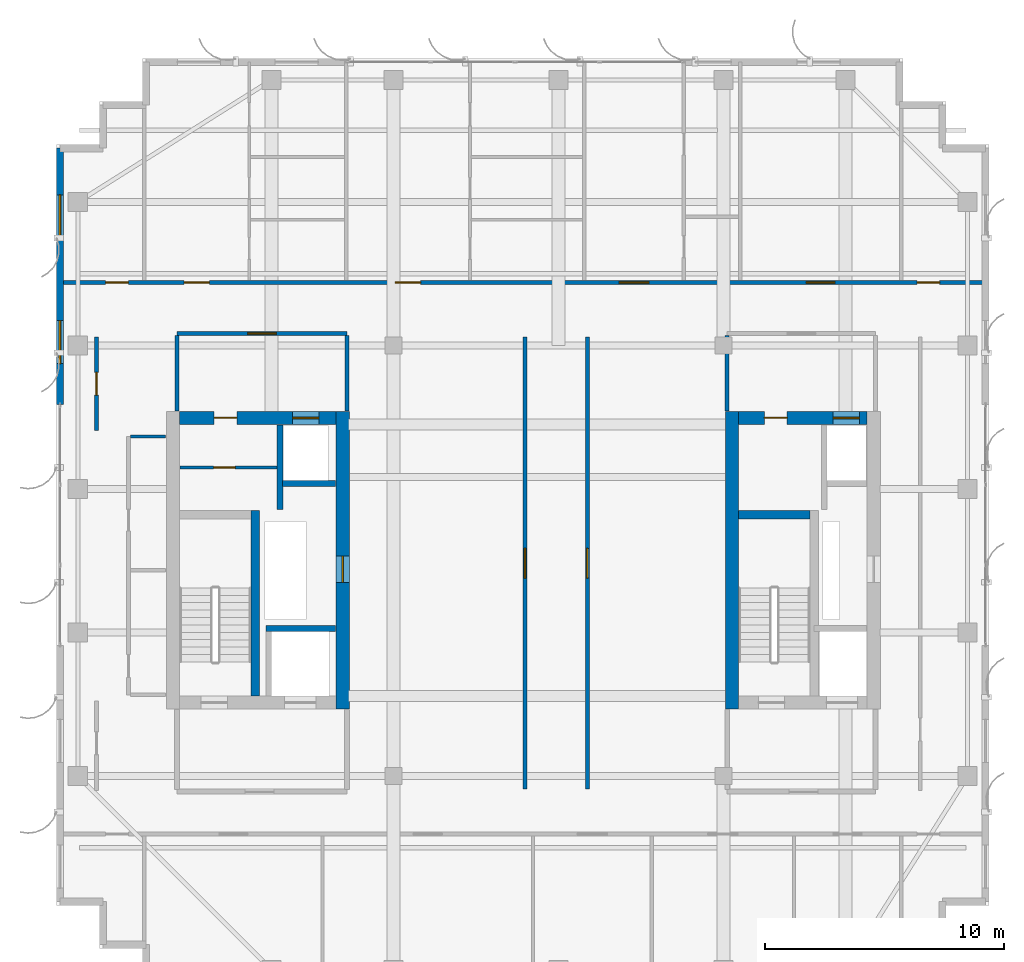
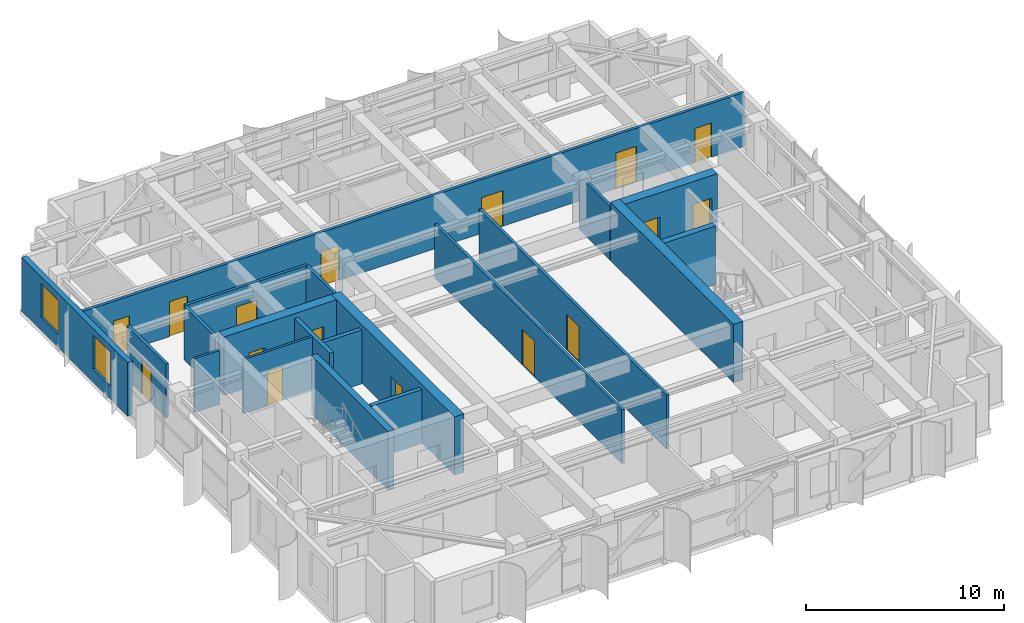
# One storey, part 18 of 22: 20 walls, 16 doors, 2 windows, 18 openings.
"""IFC4 building model written with IfcOpenShell, lengths in metres."""

import ifcopenshell
import ifcopenshell.guid

model = None  # the IFC model being written
_history = None  # IfcOwnerHistory: only IFC2X3 demands one
_inside = {}  # id of a spatial element -> (the spatial element, [elements in it])
_under = {}  # id of a project, library or spatial element -> (it, [spatial elements below it])
_declared = {}  # id of a project -> (the project, [libraries it declares])
_typed = {}  # id of a type object -> (the type object, [elements of that type])
_made_of = {}  # id of a material, layer set ... -> (it, [elements and type objects made of it])


def new_model(schema):
    """Start an empty IFC model of exactly this schema.

    Asked for "IFC4X3", IfcOpenShell would pick the latest addendum, in which some entities
    have other attributes; the version numbers below select the first issue.
    IFC2X3 requires an IfcOwnerHistory on every rooted entity: one is made here for all.
    """
    global model, _history
    if schema == "IFC4X3":
        model = ifcopenshell.file(schema_version=(4, 3, 0, 0))
    else:
        model = ifcopenshell.file(schema=schema)
    _inside.clear()
    _under.clear()
    _declared.clear()
    _typed.clear()
    _made_of.clear()
    _history = None
    if model.schema == "IFC2X3":
        org = make("IfcOrganization", Name="unknown")
        user = make(
            "IfcPersonAndOrganization",
            ThePerson=make("IfcPerson", FamilyName="unknown"),
            TheOrganization=org,
        )
        app = make(
            "IfcApplication",
            ApplicationDeveloper=org,
            Version="unknown",
            ApplicationFullName="unknown",
            ApplicationIdentifier="unknown",
        )
        _history = make(
            "IfcOwnerHistory",
            OwningUser=user,
            OwningApplication=app,
            ChangeAction="ADDED",
            CreationDate=0,
        )
    return model


def make(cls, **values):
    """One entity of the class cls with the attributes given. An attribute that is None is left unset."""
    return model.create_entity(
        cls, **{name: value for name, value in values.items() if value is not None}
    )


def rooted(cls, **values):
    """An entity with a GlobalId (a new one), such as an element, a storey or a relation."""
    return make(cls, GlobalId=ifcopenshell.guid.new(), OwnerHistory=_history, **values)


def si_unit(unit_type, name, prefix=None):
    """IfcSIUnit, for example si_unit("LENGTHUNIT", "METRE", prefix="MILLI")."""
    return make("IfcSIUnit", UnitType=unit_type, Prefix=prefix, Name=name)


def assignment(units):
    """IfcUnitAssignment: the units of a project."""
    return None if units is None else make("IfcUnitAssignment", Units=units)


def point(xyz):
    """IfcCartesianPoint."""
    return None if xyz is None else make("IfcCartesianPoint", Coordinates=xyz)


def direction(xyz):
    """IfcDirection."""
    return None if xyz is None else make("IfcDirection", DirectionRatios=xyz)


def frame(location, z_axis=None, x_axis=None):
    """IfcAxis2Placement3D, a coordinate frame: its origin and axes. An axis left out is left unset."""
    return make(
        "IfcAxis2Placement3D",
        Location=point(location),
        Axis=direction(z_axis),
        RefDirection=direction(x_axis),
    )


def frame_2d(location, x_axis=None):
    """IfcAxis2Placement2D, a coordinate frame in the plane: its origin and x axis."""
    return make(
        "IfcAxis2Placement2D", Location=point(location), RefDirection=direction(x_axis)
    )


def origin():
    """The frame at (0, 0, 0) with its axes left unset."""
    return frame((0.0, 0.0, 0.0))


def place(relative_to, where):
    """IfcLocalPlacement: puts the frame where relative to a parent placement (None: the world)."""
    return make(
        "IfcLocalPlacement", PlacementRelTo=relative_to, RelativePlacement=where
    )


def context(
    kind, dimensions, precision=None, world=None, true_north=None, identifier=None
):
    """IfcGeometricRepresentationContext, for example the 3D "Model" context."""
    return make(
        "IfcGeometricRepresentationContext",
        ContextIdentifier=identifier,
        ContextType=kind,
        CoordinateSpaceDimension=dimensions,
        Precision=precision,
        WorldCoordinateSystem=world,
        TrueNorth=true_north,
    )


def subcontext(parent, identifier, kind, view, scale=None):
    """IfcGeometricRepresentationSubContext, for example "Body" below "Model"."""
    return make(
        "IfcGeometricRepresentationSubContext",
        ContextIdentifier=identifier,
        ContextType=kind,
        ParentContext=parent,
        TargetScale=scale,
        TargetView=view,
    )


def project(units=None, contexts=None):
    """IfcProject with its units and contexts."""
    return rooted(
        "IfcProject",
        Name="project",
        RepresentationContexts=contexts,
        UnitsInContext=assignment(units),
    )


def spatial(cls, under=None, at=None, **own):
    """A site, building, storey or space (cls), placed at a placement, below another one or the project."""
    s = rooted(cls, ObjectPlacement=at, **own)
    if under is not None:
        _under.setdefault(under.id(), (under, []))[1].append(s)
    return s


def profile(cls, at=None, kind="AREA", **sizes):
    """A parametric profile (cls). Its sizes go by their IFC names, for example OverallWidth=200.0."""
    return make(cls, ProfileType=kind, Position=at, **sizes)


def rectangle(**sizes):
    """IfcRectangleProfileDef."""
    return profile("IfcRectangleProfileDef", **sizes)


def extrude(swept, where, along, depth):
    """IfcExtrudedAreaSolid: the profile swept, set in the frame where, extruded along a direction by depth."""
    return make(
        "IfcExtrudedAreaSolid",
        SweptArea=swept,
        Position=where,
        ExtrudedDirection=direction(along),
        Depth=depth,
    )


def shape(context_of_items, identifier, shape_type, items):
    """IfcShapeRepresentation: the items that make up one representation, for example the "Body"."""
    return make(
        "IfcShapeRepresentation",
        ContextOfItems=context_of_items,
        RepresentationIdentifier=identifier,
        RepresentationType=shape_type,
        Items=items,
    )


def source(mapping_origin, context_of_items, identifier, shape_type, items):
    """IfcRepresentationMap: a shape defined once, which mapped items show again and again."""
    return make(
        "IfcRepresentationMap",
        MappingOrigin=mapping_origin,
        MappedRepresentation=shape(context_of_items, identifier, shape_type, items),
    )


def transform(
    local_origin,
    x_axis=None,
    y_axis=None,
    z_axis=None,
    scale=None,
    scale2=None,
    scale3=None,
    uniform=True,
):
    """IfcCartesianTransformationOperator3D, or its non-uniform kind. x_axis, y_axis, z_axis: its Axis1, 2, 3."""
    if uniform:
        return make(
            "IfcCartesianTransformationOperator3D",
            Axis1=direction(x_axis),
            Axis2=direction(y_axis),
            LocalOrigin=point(local_origin),
            Scale=scale,
            Axis3=direction(z_axis),
        )
    return make(
        "IfcCartesianTransformationOperator3DnonUniform",
        Axis1=direction(x_axis),
        Axis2=direction(y_axis),
        LocalOrigin=point(local_origin),
        Scale=scale,
        Axis3=direction(z_axis),
        Scale2=scale2,
        Scale3=scale3,
    )


def mapped(mapping_source, mapping_target):
    """IfcMappedItem: shows the shape of a source again, moved by a transform."""
    return make(
        "IfcMappedItem", MappingSource=mapping_source, MappingTarget=mapping_target
    )


def material(Name=None, Category=None):
    """IfcMaterial."""
    return make("IfcMaterial", Name=Name, Category=Category)


def layer(
    of_material, thickness, ventilated=None, Name=None, Category=None, Priority=None
):
    """IfcMaterialLayer: one layer of a wall or slab, of a material (None: an air gap)."""
    return make(
        "IfcMaterialLayer",
        Material=of_material,
        LayerThickness=thickness,
        IsVentilated=ventilated,
        Name=Name,
        Category=Category,
        Priority=Priority,
    )


def layer_set(layers, Name=None):
    """IfcMaterialLayerSet."""
    return make("IfcMaterialLayerSet", MaterialLayers=layers, LayerSetName=Name)


def made_of(thing, what):
    """Note that an element or type object is made of a material, layer set ...; save() writes the relation."""
    if what is not None:
        _made_of.setdefault(what.id(), (what, []))[1].append(thing)
    return thing


def type_object(cls, material=None, **own):
    """A type object (cls), such as IfcWallType, which elements share."""
    return made_of(rooted(cls, **own), material)


def element(
    cls,
    number,
    at=None,
    inside=None,
    cuts=None,
    type_object=None,
    material=None,
    context=None,
    identifier="Body",
    shape_type=None,
    held_by="IfcProductDefinitionShape",
    body=None,
    shapes=None,
    **own,
):
    """One element of the class cls, such as IfcWall. Its Tag is "e" and its number.

    at: its placement. inside: the storey or other place that contains it. cuts: it is an
    opening in that element (IfcRelVoidsElement). A single representation is given by context,
    identifier, shape_type and body (its items); several are given by shapes. held_by: the class
    of the entity that holds the representations. save() writes the other relations.
    """
    e = rooted(cls, Tag="e%d" % number, ObjectPlacement=at, **own)
    if body is not None:
        shapes = [shape(context, identifier, shape_type, body)]
    if shapes is not None:
        e.Representation = make(held_by, Representations=shapes)
    if inside is not None:
        _inside.setdefault(inside.id(), (inside, []))[1].append(e)
    if cuts is not None:
        rooted(
            "IfcRelVoidsElement", RelatingBuildingElement=cuts, RelatedOpeningElement=e
        )
    if type_object is not None:
        _typed.setdefault(type_object.id(), (type_object, []))[1].append(e)
    return made_of(e, material)


def fill(opening, filler):
    """IfcRelFillsElement: the door or window that sits in an opening."""
    return rooted(
        "IfcRelFillsElement",
        RelatingOpeningElement=opening,
        RelatedBuildingElement=filler,
    )


def aggregate(whole, parts):
    """IfcRelAggregates: a whole, such as a stair, and the parts it consists of."""
    return rooted("IfcRelAggregates", RelatingObject=whole, RelatedObjects=parts)


def save(model, path):
    """Write the relations noted so far, then the file.

    IfcRelAggregates (storeys below a building ...), IfcRelContainedInSpatialStructure (elements
    in a storey), IfcRelDefinesByType, IfcRelAssociatesMaterial and IfcRelDeclares: one each for
    every whole, place, type object, material and project.
    """
    for whole, parts in _under.values():
        aggregate(whole, parts)
    for where, things in _inside.values():
        rooted(
            "IfcRelContainedInSpatialStructure",
            RelatedElements=things,
            RelatingStructure=where,
        )
    for kind, things in _typed.values():
        rooted("IfcRelDefinesByType", RelatedObjects=things, RelatingType=kind)
    for what, things in _made_of.values():
        rooted("IfcRelAssociatesMaterial", RelatedObjects=things, RelatingMaterial=what)
    for by, libraries in _declared.values():
        rooted("IfcRelDeclares", RelatingContext=by, RelatedDefinitions=libraries)
    model.write(path)


model = new_model("IFC4")

# Units and contexts
model_context = context("Model", 3, precision=1e-05, world=origin(), true_north=direction((0.0, 1.0)))
body_context = subcontext(model_context, "Body", "Model", "MODEL_VIEW")
ifc_project = project(units=[si_unit("LENGTHUNIT", "METRE"), si_unit("AREAUNIT", "SQUARE_METRE"), si_unit("VOLUMEUNIT", "CUBIC_METRE"), si_unit("PLANEANGLEUNIT", "RADIAN"), si_unit("MASSUNIT", "GRAM", prefix="KILO")], contexts=[model_context])

# Site, building, storey
site_placement = place(None, origin())
site = spatial("IfcSite", under=ifc_project, at=site_placement, CompositionType="ELEMENT")
building_placement = place(site_placement, origin())
building = spatial("IfcBuilding", under=site, at=building_placement, Name="Khoralis Quay Care Tower", CompositionType="ELEMENT")
storey_placement = place(building_placement, frame((0.0, 0.0, 278.10009765625)))
storey = spatial("IfcBuildingStorey", under=building, at=storey_placement, Name="L73", CompositionType="ELEMENT", Elevation=278.10009765625)

# Wall, opening, door
ifc_material_1 = material(Name="Concrete C65/80", Category="concrete")
ifc_layer_1 = layer(ifc_material_1, 0.550048828125)
ifc_layer_set_1 = layer_set([ifc_layer_1], Name="Concrete C65/80")
wall_type_1 = type_object("IfcWallType", Name="WL-CORE-550", PredefinedType="SHEAR", material=ifc_layer_set_1)
wall_1_placement = place(storey_placement, frame((14.97509765625, 14.800048828125, 0.0), z_axis=(0.0, 0.0, 1.0), x_axis=(0.0, 1.0, 0.0)))
wall_1 = element("IfcWall", 1, at=wall_1_placement, inside=storey, type_object=wall_type_1, Name="L73 WCORE East Shear Wall", PredefinedType="SHEAR", context=body_context, shape_type="SweptSolid", body=[
    extrude(rectangle(XDim=12.449951171875, YDim=0.550048828125, at=frame_2d((6.22509765625, 0.0))), origin(), (0.0, 0.0, 1.0), 3.599853515625),
])
opening_1_placement = place(wall_1_placement, frame((5.300048828125, 0.0, 0.0)))
opening_1 = element("IfcOpeningElement", 2, at=opening_1_placement, cuts=wall_1, Name="Opening SD1", PredefinedType="OPENING", context=body_context, shape_type="SweptSolid", body=[
    extrude(rectangle(XDim=1.10009765625, YDim=2.199951171875, at=frame_2d((0.550048828125, 1.10009765625))), frame((0.0, 0.28515625, 0.0), z_axis=(0.0, -1.0, 0.0), x_axis=(1.0, 0.0, 0.0)), (0.0, 0.0, 1.0), 0.570068359375),
])
ifc_material_2 = material(Name="Fire-rated painted steel", Category="steel")
door_type_1 = type_object("IfcDoorType", Name="DR-STAIR-1100X2200", OperationType="NOTDEFINED", PredefinedType="DOOR", material=ifc_material_2)
shared_shape_1 = source(origin(), body_context, "Body", "SweptSolid", [
    extrude(rectangle(XDim=1.10009765625, YDim=2.199951171875, at=frame_2d((0.550048828125, 1.10009765625))), frame((0.0, 0.02490234375, 0.0), z_axis=(0.0, -1.0, 0.0), x_axis=(1.0, 0.0, 0.0)), (0.0, 0.0, 1.0), 0.050048828125),
])
door_1_placement = place(opening_1_placement, origin())
door_1 = element("IfcDoor", 3, at=door_1_placement, inside=storey, type_object=door_type_1, Name="L73 West MEP Riser Door", OperationType="SINGLE_SWING_LEFT", OverallHeight=2.199951171875, OverallWidth=1.10009765625, PredefinedType="DOOR", context=body_context, shape_type="MappedRepresentation", body=[
    mapped(shared_shape_1, transform((0.0, 0.0, 0.0), scale=1.0)),
])
fill(opening_1, door_1)

# Wall, openings, doors
wall_2_placement = place(storey_placement, frame((8.14990234375, 26.97509765625, 0.0), z_axis=(0.0, 0.0, 1.0), x_axis=(1.0, 0.0, 0.0)))
wall_2 = element("IfcWall", 4, at=wall_2_placement, inside=storey, type_object=wall_type_1, Name="L73 WCORE North Shear Wall", PredefinedType="SHEAR", context=body_context, shape_type="SweptSolid", body=[
    extrude(rectangle(XDim=6.550048828125, YDim=0.550048828125, at=frame_2d((3.27490234375, 0.0))), origin(), (0.0, 0.0, 1.0), 3.599853515625),
])
opening_2_placement = place(wall_2_placement, frame((1.449951171875, 0.0, 0.0)))
opening_2 = element("IfcOpeningElement", 5, at=opening_2_placement, cuts=wall_2, Name="Opening ID1", PredefinedType="OPENING", context=body_context, shape_type="SweptSolid", body=[
    extrude(rectangle(XDim=0.949951171875, YDim=2.10009765625, at=frame_2d((0.47509765625, 1.050048828125))), frame((0.0, 0.28515625, 0.0), z_axis=(0.0, -1.0, 0.0), x_axis=(1.0, 0.0, 0.0)), (0.0, 0.0, 1.0), 0.570068359375),
])
opening_3_placement = place(wall_2_placement, frame((4.72998046875, 0.0, 0.0)))
opening_3 = element("IfcOpeningElement", 6, at=opening_3_placement, cuts=wall_2, Name="Opening LD1", PredefinedType="OPENING", context=body_context, shape_type="SweptSolid", body=[
    extrude(rectangle(XDim=1.10009765625, YDim=2.199951171875, at=frame_2d((0.550048828125, 1.10009765625))), frame((0.0, 0.28515625, 0.0), z_axis=(0.0, -1.0, 0.0), x_axis=(1.0, 0.0, 0.0)), (0.0, 0.0, 1.0), 0.570068359375),
])
ifc_material_3 = material(Name="Brushed stainless steel", Category="steel")
door_type_2 = type_object("IfcDoorType", Name="DR-LIFT-1100X2200", OperationType="SLIDING_TO_LEFT", PredefinedType="DOOR", material=ifc_material_3)
shared_shape_2 = source(origin(), body_context, "Body", "SweptSolid", [
    extrude(rectangle(XDim=1.10009765625, YDim=2.199951171875, at=frame_2d((0.550048828125, 1.10009765625))), frame((0.0, 0.02490234375, 0.0), z_axis=(0.0, -1.0, 0.0), x_axis=(1.0, 0.0, 0.0)), (0.0, 0.0, 1.0), 0.050048828125),
])
door_2_placement = place(opening_3_placement, origin())
door_2 = element("IfcDoor", 7, at=door_2_placement, inside=storey, type_object=door_type_2, Name="L73 Lift PLH1 Landing Door", OperationType="SLIDING_TO_LEFT", OverallHeight=2.199951171875, OverallWidth=1.10009765625, PredefinedType="DOOR", context=body_context, shape_type="MappedRepresentation", body=[
    mapped(shared_shape_2, transform((0.0, 0.0, 0.0), scale=1.0)),
])
fill(opening_3, door_2)
ifc_material_4 = material(Name="Acoustic hardwood timber", Category="wood")
door_type_3 = type_object("IfcDoorType", Name="DR-ROOM-950X2100", OperationType="NOTDEFINED", PredefinedType="DOOR", material=ifc_material_4)
shared_shape_3 = source(origin(), body_context, "Body", "SweptSolid", [
    extrude(rectangle(XDim=0.949951171875, YDim=2.10009765625, at=frame_2d((0.47509765625, 1.050048828125))), frame((0.0, 0.02490234375, 0.0), z_axis=(0.0, -1.0, 0.0), x_axis=(1.0, 0.0, 0.0)), (0.0, 0.0, 1.0), 0.050048828125),
])
door_3_placement = place(opening_2_placement, frame((0.949951171875, 0.0, 0.0), z_axis=(0.0, 0.0, 1.0), x_axis=(-1.0, 0.0, 0.0)))
door_3 = element("IfcDoor", 8, at=door_3_placement, inside=storey, type_object=door_type_3, Name="L73 Telemetry Study Door", OperationType="SINGLE_SWING_LEFT", OverallHeight=2.10009765625, OverallWidth=0.949951171875, PredefinedType="DOOR", context=body_context, shape_type="MappedRepresentation", body=[
    mapped(shared_shape_3, transform((0.0, 0.0, 0.0), scale=1.0)),
])
fill(opening_2, door_3)

# Wall
wall_3_placement = place(storey_placement, frame((31.2451171875, 14.800048828125, 0.0), z_axis=(0.0, 0.0, 1.0), x_axis=(0.0, 1.0, 0.0)))
element("IfcWall", 9, at=wall_3_placement, inside=storey, type_object=wall_type_1, Name="L73 ECORE West Shear Wall", PredefinedType="SHEAR", context=body_context, shape_type="SweptSolid", body=[
    extrude(rectangle(XDim=12.449951171875, YDim=0.550048828125, at=frame_2d((6.22509765625, 0.0))), origin(), (0.0, 0.0, 1.0), 3.599853515625),
])

# Wall, openings, doors
wall_4_placement = place(storey_placement, frame((31.52001953125, 26.97509765625, 0.0), z_axis=(0.0, 0.0, 1.0), x_axis=(1.0, 0.0, 0.0)))
wall_4 = element("IfcWall", 10, at=wall_4_placement, inside=storey, type_object=wall_type_1, Name="L73 ECORE North Shear Wall", PredefinedType="SHEAR", context=body_context, shape_type="SweptSolid", body=[
    extrude(rectangle(XDim=5.3798828125, YDim=0.550048828125, at=frame_2d((2.68994140625, 0.0))), origin(), (0.0, 0.0, 1.0), 3.599853515625),
])
opening_4_placement = place(wall_4_placement, frame((1.080078125, 0.0, 0.0)))
opening_4 = element("IfcOpeningElement", 11, at=opening_4_placement, cuts=wall_4, Name="Opening ID1", PredefinedType="OPENING", context=body_context, shape_type="SweptSolid", body=[
    extrude(rectangle(XDim=0.949951171875, YDim=2.10009765625, at=frame_2d((0.47509765625, 1.050048828125))), frame((0.0, 0.28515625, 0.0), z_axis=(0.0, -1.0, 0.0), x_axis=(1.0, 0.0, 0.0)), (0.0, 0.0, 1.0), 0.570068359375),
])
opening_5_placement = place(wall_4_placement, frame((3.9599609375, 0.0, 0.0)))
opening_5 = element("IfcOpeningElement", 12, at=opening_5_placement, cuts=wall_4, Name="Opening LD1", PredefinedType="OPENING", context=body_context, shape_type="SweptSolid", body=[
    extrude(rectangle(XDim=1.10009765625, YDim=2.199951171875, at=frame_2d((0.550048828125, 1.10009765625))), frame((0.0, 0.28515625, 0.0), z_axis=(0.0, -1.0, 0.0), x_axis=(1.0, 0.0, 0.0)), (0.0, 0.0, 1.0), 0.570068359375),
])
door_4_placement = place(opening_5_placement, origin())
door_4 = element("IfcDoor", 13, at=door_4_placement, inside=storey, type_object=door_type_2, Name="L73 Lift PLH2 Landing Door", OperationType="SLIDING_TO_LEFT", OverallHeight=2.199951171875, OverallWidth=1.10009765625, PredefinedType="DOOR", context=body_context, shape_type="MappedRepresentation", body=[
    mapped(shared_shape_2, transform((0.0, 0.0, 0.0), scale=1.0)),
])
fill(opening_5, door_4)
door_5_placement = place(opening_4_placement, frame((0.949951171875, 0.0, 0.0), z_axis=(0.0, 0.0, 1.0), x_axis=(-1.0, 0.0, 0.0)))
door_5 = element("IfcDoor", 14, at=door_5_placement, inside=storey, type_object=door_type_3, Name="L73 Rehab Gym Door", OperationType="SINGLE_SWING_RIGHT", OverallHeight=2.10009765625, OverallWidth=0.949951171875, PredefinedType="DOOR", context=body_context, shape_type="MappedRepresentation", body=[
    mapped(shared_shape_3, transform((0.0, 0.0, 0.0), scale=1.0)),
])
fill(opening_4, door_5)

# Wall, opening, door
ifc_material_5 = material(Name="Gypsum plasterboard on acoustic metal stud")
ifc_layer_2 = layer(ifc_material_5, 0.1650390625)
ifc_layer_set_2 = layer_set([ifc_layer_2], Name="Gypsum plasterboard on acoustic metal stud")
wall_type_2 = type_object("IfcWallType", Name="WL-CORR-165", PredefinedType="PARTITIONING", material=ifc_layer_set_2)
wall_5_placement = place(storey_placement, frame((8.050048828125, 30.5, 0.0), z_axis=(0.0, 0.0, 1.0), x_axis=(1.0, 0.0, 0.0)))
wall_5 = element("IfcWall", 15, at=wall_5_placement, inside=storey, type_object=wall_type_2, Name="L73 West Lift Lobby North Wall", PredefinedType="PARTITIONING", context=body_context, shape_type="SweptSolid", body=[
    extrude(rectangle(XDim=7.099853515625, YDim=0.1650390625, at=frame_2d((3.5498046875, 0.0))), origin(), (0.0, 0.0, 1.0), 3.31982421875),
])
opening_6_placement = place(wall_5_placement, frame((2.949951171875, 0.0, 0.0)))
opening_6 = element("IfcOpeningElement", 16, at=opening_6_placement, cuts=wall_5, Name="Opening FD1", PredefinedType="OPENING", context=body_context, shape_type="SweptSolid", body=[
    extrude(rectangle(XDim=1.199951171875, YDim=2.199951171875, at=frame_2d((0.60009765625, 1.10009765625))), frame((0.0, 0.092529296875, 0.0), z_axis=(0.0, -1.0, 0.0), x_axis=(1.0, 0.0, 0.0)), (0.0, 0.0, 1.0), 0.18505859375),
])
door_type_4 = type_object("IfcDoorType", Name="DR-FFL-1200X2200", OperationType="NOTDEFINED", PredefinedType="DOOR", material=ifc_material_2)
shared_shape_4 = source(origin(), body_context, "Body", "SweptSolid", [
    extrude(rectangle(XDim=1.199951171875, YDim=2.199951171875, at=frame_2d((0.60009765625, 1.10009765625))), frame((0.0, 0.02490234375, 0.0), z_axis=(0.0, -1.0, 0.0), x_axis=(1.0, 0.0, 0.0)), (0.0, 0.0, 1.0), 0.050048828125),
])
door_6_placement = place(opening_6_placement, origin())
door_6 = element("IfcDoor", 17, at=door_6_placement, inside=storey, type_object=door_type_4, Name="L73 West Lift Lobby Double Door", OperationType="DOUBLE_DOOR_SINGLE_SWING", OverallHeight=2.199951171875, OverallWidth=1.199951171875, PredefinedType="DOOR", context=body_context, shape_type="MappedRepresentation", body=[
    mapped(shared_shape_4, transform((0.0, 0.0, 0.0), scale=1.0)),
])
fill(opening_6, door_6)

# Walls
for number, where, z_axis, x_axis, name in (
    (18, (8.050048828125, 27.27001953125, 0.0), (0.0, 0.0, 1.0), (0.0, 1.0, 0.0), "L73 West Lift Lobby West Wall"),
    (19, (15.14990234375, 27.27001953125, 0.0), (0.0, 0.0, 1.0), (0.0, 1.0, 0.0), "L73 West Lift Lobby East Wall"),
    (20, (31.050048828125, 27.27001953125, 0.0), (0.0, 0.0, 1.0), (0.0, 1.0, 0.0), "L73 East Lift Lobby West Wall"),
):
    element("IfcWall", number, at=place(storey_placement, frame(where, z_axis=z_axis, x_axis=x_axis)), inside=storey, type_object=wall_type_2, Name=name, PredefinedType="PARTITIONING", context=body_context, shape_type="SweptSolid", body=[
        extrude(rectangle(XDim=3.152587890625, YDim=0.1650390625, at=frame_2d((1.576171875, 0.0))), origin(), (0.0, 0.0, 1.0), 3.31982421875),
    ])

# Wall, openings, doors
wall_6_placement = place(storey_placement, frame((3.14501953125, 32.639892578125, 0.0), z_axis=(0.0, 0.0, 1.0), x_axis=(1.0, 0.0, 0.0)))
wall_6 = element("IfcWall", 21, at=wall_6_placement, inside=storey, type_object=wall_type_2, Name="L73 North Main Corridor Wall", PredefinedType="PARTITIONING", context=body_context, shape_type="SweptSolid", body=[
    extrude(rectangle(XDim=38.7099609375, YDim=0.1650390625, at=frame_2d((19.35498046875, 0.0))), origin(), (0.0, 0.0, 1.0), 3.31982421875),
])
opening_7_placement = place(wall_6_placement, frame((5.20458984375, 0.0, 0.0)))
opening_7 = element("IfcOpeningElement", 22, at=opening_7_placement, cuts=wall_6, Name="Opening UD1", PredefinedType="OPENING", context=body_context, shape_type="SweptSolid", body=[
    extrude(rectangle(XDim=1.050048828125, YDim=2.14990234375, at=frame_2d((0.52490234375, 1.074951171875))), frame((0.0, 0.092529296875, 0.0), z_axis=(0.0, -1.0, 0.0), x_axis=(1.0, 0.0, 0.0)), (0.0, 0.0, 1.0), 0.18505859375),
])
opening_8_placement = place(wall_6_placement, frame((14.037109375, 0.0, 0.0)))
opening_8 = element("IfcOpeningElement", 23, at=opening_8_placement, cuts=wall_6, Name="Opening UD1", PredefinedType="OPENING", context=body_context, shape_type="SweptSolid", body=[
    extrude(rectangle(XDim=1.050048828125, YDim=2.14990234375, at=frame_2d((0.52490234375, 1.074951171875))), frame((0.0, 0.092529296875, 0.0), z_axis=(0.0, -1.0, 0.0), x_axis=(1.0, 0.0, 0.0)), (0.0, 0.0, 1.0), 0.18505859375),
])
opening_9_placement = place(wall_6_placement, frame((23.385009765625, 0.0, 0.0)))
opening_9 = element("IfcOpeningElement", 24, at=opening_9_placement, cuts=wall_6, Name="Opening CD1", PredefinedType="OPENING", context=body_context, shape_type="SweptSolid", body=[
    extrude(rectangle(XDim=1.25, YDim=2.199951171875, at=frame_2d((0.625, 1.10009765625))), frame((0.0, 0.092529296875, 0.0), z_axis=(0.0, -1.0, 0.0), x_axis=(1.0, 0.0, 0.0)), (0.0, 0.0, 1.0), 0.18505859375),
])
opening_10_placement = place(wall_6_placement, frame((31.2099609375, 0.0, 0.0)))
opening_10 = element("IfcOpeningElement", 25, at=opening_10_placement, cuts=wall_6, Name="Opening FD1", PredefinedType="OPENING", context=body_context, shape_type="SweptSolid", body=[
    extrude(rectangle(XDim=1.199951171875, YDim=2.199951171875, at=frame_2d((0.60009765625, 1.10009765625))), frame((0.0, 0.092529296875, 0.0), z_axis=(0.0, -1.0, 0.0), x_axis=(1.0, 0.0, 0.0)), (0.0, 0.0, 1.0), 0.18505859375),
])
opening_11_placement = place(wall_6_placement, frame((1.919921875, 0.0, 0.0)))
opening_11 = element("IfcOpeningElement", 26, at=opening_11_placement, cuts=wall_6, Name="Opening ID1", PredefinedType="OPENING", context=body_context, shape_type="SweptSolid", body=[
    extrude(rectangle(XDim=0.949951171875, YDim=2.10009765625, at=frame_2d((0.47509765625, 1.050048828125))), frame((0.0, 0.092529296875, 0.0), z_axis=(0.0, -1.0, 0.0), x_axis=(1.0, 0.0, 0.0)), (0.0, 0.0, 1.0), 0.18505859375),
])
opening_12_placement = place(wall_6_placement, frame((35.840087890625, 0.0, 0.0)))
opening_12 = element("IfcOpeningElement", 27, at=opening_12_placement, cuts=wall_6, Name="Opening ID1", PredefinedType="OPENING", context=body_context, shape_type="SweptSolid", body=[
    extrude(rectangle(XDim=0.949951171875, YDim=2.10009765625, at=frame_2d((0.47509765625, 1.050048828125))), frame((0.0, 0.092529296875, 0.0), z_axis=(0.0, -1.0, 0.0), x_axis=(1.0, 0.0, 0.0)), (0.0, 0.0, 1.0), 0.18505859375),
])
door_7_placement = place(opening_10_placement, origin())
door_7 = element("IfcDoor", 28, at=door_7_placement, inside=storey, type_object=door_type_4, Name="L73 Assisted Communal Dining Room Door", OperationType="DOUBLE_DOOR_SINGLE_SWING", OverallHeight=2.199951171875, OverallWidth=1.199951171875, PredefinedType="DOOR", context=body_context, shape_type="MappedRepresentation", body=[
    mapped(shared_shape_4, transform((0.0, 0.0, 0.0), scale=1.0)),
])
fill(opening_10, door_7)
door_type_5 = type_object("IfcDoorType", Name="DR-CARE-1250X2200", OperationType="NOTDEFINED", PredefinedType="DOOR", material=ifc_material_4)
shared_shape_5 = source(origin(), body_context, "Body", "SweptSolid", [
    extrude(rectangle(XDim=1.25, YDim=2.199951171875, at=frame_2d((0.625, 1.10009765625))), frame((0.0, 0.02490234375, 0.0), z_axis=(0.0, -1.0, 0.0), x_axis=(1.0, 0.0, 0.0)), (0.0, 0.0, 1.0), 0.050048828125),
])
door_8_placement = place(opening_9_placement, origin())
door_8 = element("IfcDoor", 29, at=door_8_placement, inside=storey, type_object=door_type_5, Name="L73 Care Suite NB2 Clinical Door", OperationType="SINGLE_SWING_LEFT", OverallHeight=2.199951171875, OverallWidth=1.25, PredefinedType="DOOR", context=body_context, shape_type="MappedRepresentation", body=[
    mapped(shared_shape_5, transform((0.0, 0.0, 0.0), scale=1.0)),
])
fill(opening_9, door_8)
door_9_placement = place(opening_11_placement, origin())
door_9 = element("IfcDoor", 30, at=door_9_placement, inside=storey, type_object=door_type_3, Name="L73 NW Corner Door", OperationType="SINGLE_SWING_RIGHT", OverallHeight=2.10009765625, OverallWidth=0.949951171875, PredefinedType="DOOR", context=body_context, shape_type="MappedRepresentation", body=[
    mapped(shared_shape_3, transform((0.0, 0.0, 0.0), scale=1.0)),
])
fill(opening_11, door_9)
door_10_placement = place(opening_12_placement, origin())
door_10 = element("IfcDoor", 31, at=door_10_placement, inside=storey, type_object=door_type_3, Name="L73 NE Corner Door", OperationType="SINGLE_SWING_LEFT", OverallHeight=2.10009765625, OverallWidth=0.949951171875, PredefinedType="DOOR", context=body_context, shape_type="MappedRepresentation", body=[
    mapped(shared_shape_3, transform((0.0, 0.0, 0.0), scale=1.0)),
])
fill(opening_12, door_10)
door_type_6 = type_object("IfcDoorType", Name="DR-SUITE-1050X2150", OperationType="NOTDEFINED", PredefinedType="DOOR", material=ifc_material_4)
shared_shape_6 = source(origin(), body_context, "Body", "SweptSolid", [
    extrude(rectangle(XDim=1.050048828125, YDim=2.14990234375, at=frame_2d((0.52490234375, 1.074951171875))), frame((0.0, 0.02490234375, 0.0), z_axis=(0.0, -1.0, 0.0), x_axis=(1.0, 0.0, 0.0)), (0.0, 0.0, 1.0), 0.050048828125),
])
door_11_placement = place(opening_7_placement, origin())
door_11 = element("IfcDoor", 32, at=door_11_placement, inside=storey, type_object=door_type_6, Name="L73 Apartment NB0 Entrance Door", OperationType="SINGLE_SWING_LEFT", OverallHeight=2.14990234375, OverallWidth=1.050048828125, PredefinedType="DOOR", context=body_context, shape_type="MappedRepresentation", body=[
    mapped(shared_shape_6, transform((0.0, 0.0, 0.0), scale=1.0)),
])
fill(opening_7, door_11)
door_12_placement = place(opening_8_placement, origin())
door_12 = element("IfcDoor", 33, at=door_12_placement, inside=storey, type_object=door_type_6, Name="L73 Apartment NB1 Entrance Door", OperationType="SINGLE_SWING_RIGHT", OverallHeight=2.14990234375, OverallWidth=1.050048828125, PredefinedType="DOOR", context=body_context, shape_type="MappedRepresentation", body=[
    mapped(shared_shape_6, transform((0.0, 0.0, 0.0), scale=1.0)),
])
fill(opening_8, door_12)

# Wall, opening, door
wall_7_placement = place(storey_placement, frame((22.60009765625, 11.449951171875, 0.0), z_axis=(0.0, 0.0, 1.0), x_axis=(0.0, 1.0, 0.0)))
wall_7 = element("IfcWall", 34, at=wall_7_placement, inside=storey, type_object=wall_type_2, Name="L73 Central Gallery West Wall", PredefinedType="PARTITIONING", context=body_context, shape_type="SweptSolid", body=[
    extrude(rectangle(XDim=18.900146484375, YDim=0.1650390625, at=frame_2d((9.4501953125, 0.0))), origin(), (0.0, 0.0, 1.0), 3.31982421875),
])
opening_13_placement = place(wall_7_placement, frame((8.824951171875, 0.0, 0.0)))
opening_13 = element("IfcOpeningElement", 35, at=opening_13_placement, cuts=wall_7, Name="Opening CD1", PredefinedType="OPENING", context=body_context, shape_type="SweptSolid", body=[
    extrude(rectangle(XDim=1.25, YDim=2.199951171875, at=frame_2d((0.625, 1.10009765625))), frame((0.0, 0.092529296875, 0.0), z_axis=(0.0, -1.0, 0.0), x_axis=(1.0, 0.0, 0.0)), (0.0, 0.0, 1.0), 0.18505859375),
])
door_13_placement = place(opening_13_placement, frame((1.25, 0.0, 0.0), z_axis=(0.0, 0.0, 1.0), x_axis=(-1.0, 0.0, 0.0)))
door_13 = element("IfcDoor", 36, at=door_13_placement, inside=storey, type_object=door_type_5, Name="L73 Penthouse Clinic Door", OperationType="SINGLE_SWING_LEFT", OverallHeight=2.199951171875, OverallWidth=1.25, PredefinedType="DOOR", context=body_context, shape_type="MappedRepresentation", body=[
    mapped(shared_shape_5, transform((0.0, 0.0, 0.0), scale=1.0)),
])
fill(opening_13, door_13)

wall_8_placement = place(storey_placement, frame((25.199951171875, 11.449951171875, 0.0), z_axis=(0.0, 0.0, 1.0), x_axis=(0.0, 1.0, 0.0)))
wall_8 = element("IfcWall", 37, at=wall_8_placement, inside=storey, type_object=wall_type_2, Name="L73 Central Gallery East Wall", PredefinedType="PARTITIONING", context=body_context, shape_type="SweptSolid", body=[
    extrude(rectangle(XDim=18.900146484375, YDim=0.1650390625, at=frame_2d((9.4501953125, 0.0))), origin(), (0.0, 0.0, 1.0), 3.31982421875),
])
opening_14_placement = place(wall_8_placement, frame((8.824951171875, 0.0, 0.0)))
opening_14 = element("IfcOpeningElement", 38, at=opening_14_placement, cuts=wall_8, Name="Opening CD1", PredefinedType="OPENING", context=body_context, shape_type="SweptSolid", body=[
    extrude(rectangle(XDim=1.25, YDim=2.199951171875, at=frame_2d((0.625, 1.10009765625))), frame((0.0, 0.092529296875, 0.0), z_axis=(0.0, -1.0, 0.0), x_axis=(1.0, 0.0, 0.0)), (0.0, 0.0, 1.0), 0.18505859375),
])
door_14_placement = place(opening_14_placement, origin())
door_14 = element("IfcDoor", 39, at=door_14_placement, inside=storey, type_object=door_type_5, Name="L73 Penthouse Lounge Door", OperationType="SINGLE_SWING_RIGHT", OverallHeight=2.199951171875, OverallWidth=1.25, PredefinedType="DOOR", context=body_context, shape_type="MappedRepresentation", body=[
    mapped(shared_shape_5, transform((0.0, 0.0, 0.0), scale=1.0)),
])
fill(opening_14, door_14)

wall_9_placement = place(storey_placement, frame((4.679931640625, 26.449951171875, 0.0), z_axis=(0.0, 0.0, 1.0), x_axis=(0.0, 1.0, 0.0)))
wall_9 = element("IfcWall", 40, at=wall_9_placement, inside=storey, type_object=wall_type_2, Name="L73 West Sky Sunroom North Wall", PredefinedType="PARTITIONING", context=body_context, shape_type="SweptSolid", body=[
    extrude(rectangle(XDim=3.900146484375, YDim=0.1650390625, at=frame_2d((1.9501953125, 0.0))), origin(), (0.0, 0.0, 1.0), 3.31982421875),
])
opening_15_placement = place(wall_9_placement, frame((1.47509765625, 0.0, 0.0)))
opening_15 = element("IfcOpeningElement", 41, at=opening_15_placement, cuts=wall_9, Name="Opening ID1", PredefinedType="OPENING", context=body_context, shape_type="SweptSolid", body=[
    extrude(rectangle(XDim=0.949951171875, YDim=2.10009765625, at=frame_2d((0.47509765625, 1.050048828125))), frame((0.0, 0.092529296875, 0.0), z_axis=(0.0, -1.0, 0.0), x_axis=(1.0, 0.0, 0.0)), (0.0, 0.0, 1.0), 0.18505859375),
])
door_15_placement = place(opening_15_placement, frame((0.949951171875, 0.0, 0.0), z_axis=(0.0, 0.0, 1.0), x_axis=(-1.0, 0.0, 0.0)))
door_15 = element("IfcDoor", 42, at=door_15_placement, inside=storey, type_object=door_type_3, Name="L73 West Study Door", OperationType="SINGLE_SWING_RIGHT", OverallHeight=2.10009765625, OverallWidth=0.949951171875, PredefinedType="DOOR", context=body_context, shape_type="MappedRepresentation", body=[
    mapped(shared_shape_3, transform((0.0, 0.0, 0.0), scale=1.0)),
])
fill(opening_15, door_15)

# Wall, openings, windows
ifc_material_6 = material(Name="Precast concrete C45/55", Category="concrete")
ifc_layer_3 = layer(ifc_material_6, 0.300048828125)
ifc_layer_set_3 = layer_set([ifc_layer_3], Name="Precast concrete C45/55")
wall_type_3 = type_object("IfcWallType", Name="WL-EXT-REF-300", PredefinedType="SOLIDWALL", material=ifc_layer_set_3)
wall_10_placement = place(storey_placement, frame((3.14990234375, 38.25, 0.0), z_axis=(0.0, 0.0, 1.0), x_axis=(0.0, -1.0, 0.0)))
wall_10 = element("IfcWall", 43, at=wall_10_placement, inside=storey, type_object=wall_type_3, Name="L73 External Facade Wall WL-EXT-L73-P1-E15A", PredefinedType="SOLIDWALL", context=body_context, shape_type="SweptSolid", body=[
    extrude(rectangle(XDim=10.7099609375, YDim=0.300048828125, at=frame_2d((5.35498046875, 0.0))), origin(), (0.0, 0.0, 1.0), 3.31982421875),
])
opening_16_placement = place(wall_10_placement, frame((1.955078125, 0.0, 0.800048828125)))
opening_16 = element("IfcOpeningElement", 44, at=opening_16_placement, cuts=wall_10, Name="Opening W2", PredefinedType="OPENING", context=body_context, shape_type="SweptSolid", body=[
    extrude(rectangle(XDim=1.800048828125, YDim=2.10009765625, at=frame_2d((0.89990234375, 1.050048828125))), frame((0.0, 0.16015625, 0.0), z_axis=(0.0, -1.0, 0.0), x_axis=(1.0, 0.0, 0.0)), (0.0, 0.0, 1.0), 0.320068359375),
])
opening_17_placement = place(wall_10_placement, frame((7.2099609375, 0.0, 0.800048828125)))
opening_17 = element("IfcOpeningElement", 45, at=opening_17_placement, cuts=wall_10, Name="Opening W2", PredefinedType="OPENING", context=body_context, shape_type="SweptSolid", body=[
    extrude(rectangle(XDim=1.800048828125, YDim=2.10009765625, at=frame_2d((0.89990234375, 1.050048828125))), frame((0.0, 0.16015625, 0.0), z_axis=(0.0, -1.0, 0.0), x_axis=(1.0, 0.0, 0.0)), (0.0, 0.0, 1.0), 0.320068359375),
])
ifc_material_7 = material(Name="Low-E solar-control double glazing", Category="glass")
window_type = type_object("IfcWindowType", Name="WN-POD-1800X2100", PartitioningType="SINGLE_PANEL", PredefinedType="WINDOW", material=ifc_material_7)
shared_shape_7 = source(origin(), body_context, "Body", "SweptSolid", [
    extrude(rectangle(XDim=1.800048828125, YDim=2.10009765625, at=frame_2d((0.89990234375, 1.050048828125))), frame((0.0, 0.030029296875, 0.0), z_axis=(0.0, -1.0, 0.0), x_axis=(1.0, 0.0, 0.0)), (0.0, 0.0, 1.0), 0.06005859375),
])
window_1_placement = place(opening_16_placement, origin())
window_1 = element("IfcWindow", 46, at=window_1_placement, inside=storey, type_object=window_type, Name="WN-L73-P1-E15A Facade Window 01", OverallHeight=2.10009765625, OverallWidth=1.800048828125, PartitioningType="SINGLE_PANEL", PredefinedType="WINDOW", context=body_context, shape_type="MappedRepresentation", body=[
    mapped(shared_shape_7, transform((0.0, 0.0, 0.0), scale=1.0)),
])
fill(opening_16, window_1)
window_2_placement = place(opening_17_placement, origin())
window_2 = element("IfcWindow", 47, at=window_2_placement, inside=storey, type_object=window_type, Name="WN-L73-P1-E15A Facade Window 02", OverallHeight=2.10009765625, OverallWidth=1.800048828125, PartitioningType="SINGLE_PANEL", PredefinedType="WINDOW", context=body_context, shape_type="MappedRepresentation", body=[
    mapped(shared_shape_7, transform((0.0, 0.0, 0.0), scale=1.0)),
])
fill(opening_17, window_2)

# Walls
ifc_material_8 = material(Name="Concrete C40/50", Category="concrete")
ifc_layer_4 = layer(ifc_material_8, 0.35009765625)
ifc_layer_set_4 = layer_set([ifc_layer_4], Name="Concrete C40/50")
wall_type_4 = type_object("IfcWallType", Name="WL-SC-CORE-350", PredefinedType="SHEAR", material=ifc_layer_set_4)
wall_11_placement = place(storey_placement, frame((11.324951171875, 15.35009765625, 0.0), z_axis=(0.0, 0.0, 1.0), x_axis=(0.0, 1.0, 0.0)))
element("IfcWall", 48, at=wall_11_placement, inside=storey, type_object=wall_type_4, Name="L73 Stair ST-T1 Shear Baffle Wall East", PredefinedType="SHEAR", context=body_context, shape_type="SweptSolid", body=[
    extrude(rectangle(XDim=7.75, YDim=0.35009765625, at=frame_2d((3.875, 0.0))), origin(), (0.0, 0.0, 1.0), 3.599853515625),
])
wall_12_placement = place(storey_placement, frame((31.52001953125, 22.925048828125, 0.0), z_axis=(0.0, 0.0, 1.0), x_axis=(1.0, 0.0, 0.0)))
element("IfcWall", 49, at=wall_12_placement, inside=storey, type_object=wall_type_4, Name="L73 Stair ST-T2 Shear Baffle Wall North", PredefinedType="SHEAR", context=body_context, shape_type="SweptSolid", body=[
    extrude(rectangle(XDim=3.0, YDim=0.35009765625, at=frame_2d((1.5, 0.0))), origin(), (0.0, 0.0, 1.0), 3.599853515625),
])
ifc_layer_5 = layer(ifc_material_5, 0.239990234375)
ifc_layer_set_5 = layer_set([ifc_layer_5], Name="Gypsum plasterboard on acoustic metal stud")
wall_type_5 = type_object("IfcWallType", Name="WL-SHAFT-240", PredefinedType="PARTITIONING", material=ifc_layer_set_5)
wall_13_placement = place(storey_placement, frame((11.760009765625, 18.169921875, 0.0), z_axis=(0.0, 0.0, 1.0), x_axis=(1.0, 0.0, 0.0)))
element("IfcWall", 50, at=wall_13_placement, inside=storey, type_object=wall_type_5, Name="L73 FFL-1 Shaft Wall North", PredefinedType="PARTITIONING", context=body_context, shape_type="SweptSolid", body=[
    extrude(rectangle(XDim=2.919921875, YDim=0.239990234375, at=frame_2d((1.4599609375, 0.0))), origin(), (0.0, 0.0, 1.0), 3.31982421875),
])
wall_14_placement = place(storey_placement, frame((12.35009765625, 23.139892578125, 0.0), z_axis=(0.0, 0.0, 1.0), x_axis=(0.0, 1.0, 0.0)))
element("IfcWall", 51, at=wall_14_placement, inside=storey, type_object=wall_type_5, Name="L73 High-Rise Reclaimed Bay Wall West", PredefinedType="PARTITIONING", context=body_context, shape_type="SweptSolid", body=[
    extrude(rectangle(XDim=3.5400390625, YDim=0.239990234375, at=frame_2d((1.77001953125, 0.0))), origin(), (0.0, 0.0, 1.0), 3.31982421875),
])
wall_15_placement = place(storey_placement, frame((12.465087890625, 24.22998046875, 0.0), z_axis=(0.0, 0.0, 1.0), x_axis=(1.0, 0.0, 0.0)))
element("IfcWall", 52, at=wall_15_placement, inside=storey, type_object=wall_type_5, Name="L73 High-Rise Shaft South Wall West", PredefinedType="PARTITIONING", context=body_context, shape_type="SweptSolid", body=[
    extrude(rectangle(XDim=2.21484375, YDim=0.239990234375, at=frame_2d((1.107421875, 0.0))), origin(), (0.0, 0.0, 1.0), 3.31982421875),
])

# Wall, opening, door
ifc_layer_6 = layer(ifc_material_5, 0.139892578125)
ifc_layer_set_6 = layer_set([ifc_layer_6], Name="Gypsum plasterboard on acoustic metal stud")
wall_type_6 = type_object("IfcWallType", Name="WL-UNIT-140", PredefinedType="PARTITIONING", material=ifc_layer_set_6)
wall_16_placement = place(storey_placement, frame((8.179931640625, 24.89990234375, 0.0), z_axis=(0.0, 0.0, 1.0), x_axis=(1.0, 0.0, 0.0)))
wall_16 = element("IfcWall", 53, at=wall_16_placement, inside=storey, type_object=wall_type_6, Name="L73 High-Rise West Core Split H", PredefinedType="PARTITIONING", context=body_context, shape_type="SweptSolid", body=[
    extrude(rectangle(XDim=4.05517578125, YDim=0.139892578125, at=frame_2d((2.027587890625, 0.0))), origin(), (0.0, 0.0, 1.0), 3.31982421875),
])
opening_18_placement = place(wall_16_placement, frame((1.39990234375, 0.0, 0.0)))
opening_18 = element("IfcOpeningElement", 54, at=opening_18_placement, cuts=wall_16, Name="Opening WD1", PredefinedType="OPENING", context=body_context, shape_type="SweptSolid", body=[
    extrude(rectangle(XDim=0.89990234375, YDim=2.10009765625, at=frame_2d((0.449951171875, 1.050048828125))), frame((0.0, 0.080078125, 0.0), z_axis=(0.0, -1.0, 0.0), x_axis=(1.0, 0.0, 0.0)), (0.0, 0.0, 1.0), 0.159912109375),
])
door_type_7 = type_object("IfcDoorType", Name="DR-BATH-900X2100", OperationType="NOTDEFINED", PredefinedType="DOOR", material=ifc_material_4)
shared_shape_8 = source(origin(), body_context, "Body", "SweptSolid", [
    extrude(rectangle(XDim=0.89990234375, YDim=2.10009765625, at=frame_2d((0.449951171875, 1.050048828125))), frame((0.0, 0.02490234375, 0.0), z_axis=(0.0, -1.0, 0.0), x_axis=(1.0, 0.0, 0.0)), (0.0, 0.0, 1.0), 0.050048828125),
])
door_16_placement = place(opening_18_placement, frame((0.89990234375, 0.0, 0.0), z_axis=(0.0, 0.0, 1.0), x_axis=(-1.0, 0.0, 0.0)))
door_16 = element("IfcDoor", 55, at=door_16_placement, inside=storey, type_object=door_type_7, Name="L73 Medical Supply Store Door", OperationType="SINGLE_SWING_LEFT", OverallHeight=2.10009765625, OverallWidth=0.89990234375, PredefinedType="DOOR", context=body_context, shape_type="MappedRepresentation", body=[
    mapped(shared_shape_8, transform((0.0, 0.0, 0.0), scale=1.0)),
])
fill(opening_18, door_16)

# Wall
wall_17_placement = place(storey_placement, frame((6.097412109375, 26.199951171875, 0.0), z_axis=(0.0, 0.0, 1.0), x_axis=(1.0, 0.0, 0.0)))
element("IfcWall", 56, at=wall_17_placement, inside=storey, type_object=wall_type_6, Name="L73 West Flank North Cap", PredefinedType="PARTITIONING", context=body_context, shape_type="SweptSolid", body=[
    extrude(rectangle(XDim=1.462646484375, YDim=0.139892578125, at=frame_2d((0.7314453125, 0.0))), origin(), (0.0, 0.0, 1.0), 3.31982421875),
])

save(model, "model.ifc")
